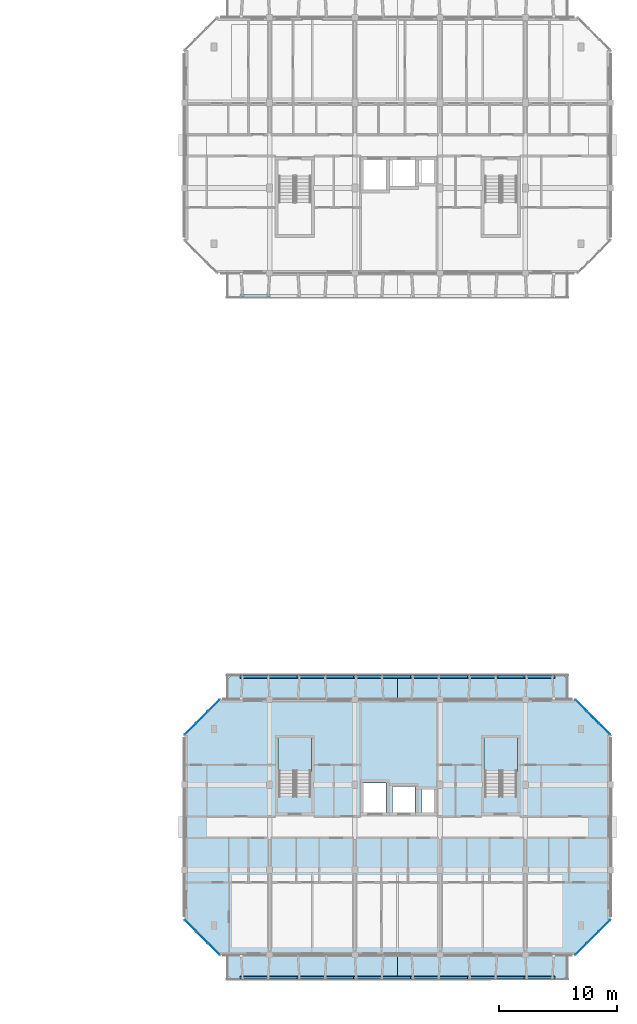
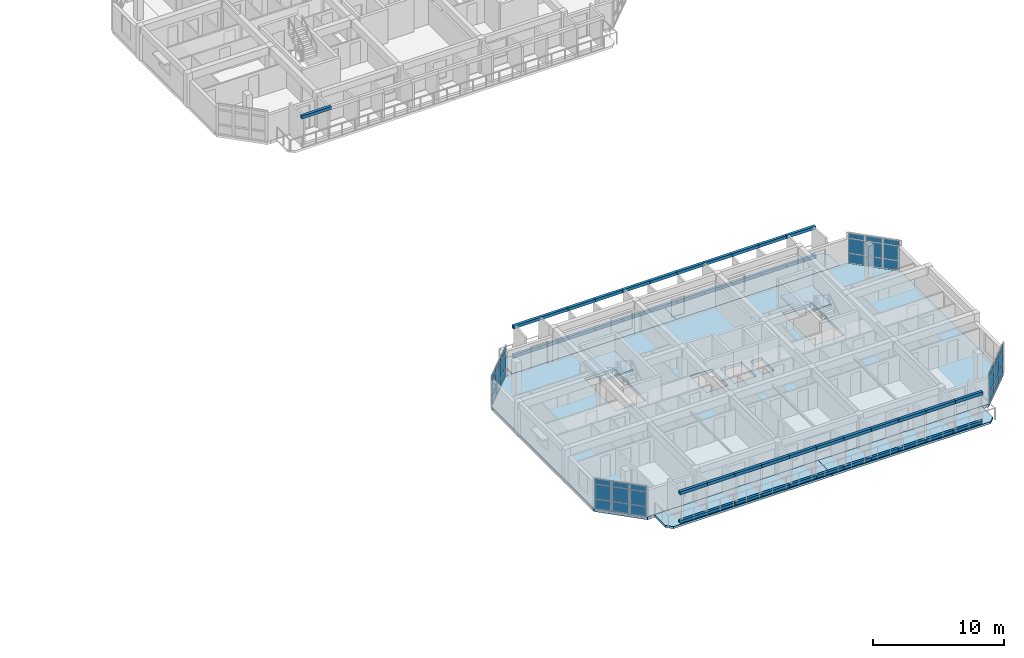
# One storey, part 13 of 40: 81 plates, 7 slabs, 6 elements without a shape of their own.
"""IFC4 building model written with IfcOpenShell, lengths in metres."""

from ifc_helpers import new_model, si_unit, direction, frame, origin, origin_2d, place, context, subcontext, project, spatial, polyline, rectangle, outline, extrude, material, layer, layer_set, type_object, element, aggregate, save


model = new_model("IFC4")

# Units and contexts
model_context = context("Model", 3, precision=1e-05, world=origin(), true_north=direction((0.0, 1.0)))
body_context = subcontext(model_context, "Body", "Model", "MODEL_VIEW")
ifc_project = project(units=[si_unit("LENGTHUNIT", "METRE"), si_unit("AREAUNIT", "SQUARE_METRE"), si_unit("VOLUMEUNIT", "CUBIC_METRE"), si_unit("PLANEANGLEUNIT", "RADIAN"), si_unit("MASSUNIT", "GRAM", prefix="KILO")], contexts=[model_context])

# Site, building, storey
site_placement = place(None, origin())
site = spatial("IfcSite", under=ifc_project, at=site_placement, CompositionType="ELEMENT")
building_placement = place(site_placement, origin())
building = spatial("IfcBuilding", under=site, at=building_placement, Name="Ochrevale Crest", CompositionType="ELEMENT")
storey_placement = place(building_placement, frame((0.0, 0.0, 27.60009765625)))
storey = spatial("IfcBuildingStorey", under=building, at=storey_placement, Name="L08", CompositionType="ELEMENT", Elevation=27.60009765625)

# Curtain wall, plates
ifc_material_1 = material(Name="Anodised aluminium 6063-T5", Category="aluminium")
ifc_layer_1 = layer(ifc_material_1, 0.14990234375)
ifc_layer_set_1 = layer_set([ifc_layer_1], Name="Anodised aluminium 6063-T5")
curtain_wall_type_1 = type_object("IfcCurtainWallType", Name="CW-WG-240x285", PredefinedType="NOTDEFINED", material=ifc_layer_set_1)
curtain_wall_1_placement = place(storey_placement, origin())
curtain_wall_1 = element("IfcCurtainWall", 1, at=curtain_wall_1_placement, inside=storey, type_object=curtain_wall_type_1, Name="Block C L08 chamfered corner wintergarden curtain wall 2", PredefinedType="NOTDEFINED")
ifc_material_2 = material(Name="Double-glazed low-E insulated glass unit", Category="glass")
ifc_layer_2 = layer(ifc_material_2, 0.028076171875)
ifc_layer_set_2 = layer_set([ifc_layer_2], Name="Double-glazed low-E insulated glass unit")
plate_type_1 = type_object("IfcPlateType", Name="CW-PNL-IGU28", PredefinedType="CURTAIN_PANEL", material=ifc_layer_set_2)
plate_1_placement = place(storey_placement, frame((163.11328125, 14.913330078125, 0.06005859375), z_axis=(0.0, 0.0, 1.0), x_axis=(0.707106781187, 0.707106781187, 0.0)))
plate_1 = element("IfcPlate", 2, at=plate_1_placement, type_object=plate_type_1, Name="CW15 panel 1.1", PredefinedType="CURTAIN_PANEL", context=body_context, shape_type="SweptSolid", body=[
    extrude(rectangle(XDim=1.3017578125, YDim=0.028076171875, at=origin_2d()), origin(), (0.0, 0.0, 1.0), 0.860107421875),
])
plate_2_placement = place(storey_placement, frame((163.11328125, 14.913330078125, 0.97998046875), z_axis=(0.0, 0.0, 1.0), x_axis=(0.707106781187, 0.707106781187, 0.0)))
plate_2 = element("IfcPlate", 3, at=plate_2_placement, type_object=plate_type_1, Name="CW15 panel 1.2", PredefinedType="CURTAIN_PANEL", context=body_context, shape_type="SweptSolid", body=[
    extrude(rectangle(XDim=1.3017578125, YDim=0.028076171875, at=origin_2d()), origin(), (0.0, 0.0, 1.0), 1.31494140625),
])
plate_3_placement = place(storey_placement, frame((163.11328125, 14.913330078125, 2.35498046875), z_axis=(0.0, 0.0, 1.0), x_axis=(0.707106781187, 0.707106781187, 0.0)))
plate_3 = element("IfcPlate", 4, at=plate_3_placement, type_object=plate_type_1, Name="CW15 panel 1.3", PredefinedType="CURTAIN_PANEL", context=body_context, shape_type="SweptSolid", body=[
    extrude(rectangle(XDim=1.3017578125, YDim=0.028076171875, at=origin_2d()), origin(), (0.0, 0.0, 1.0), 0.4599609375),
])
plate_4_placement = place(storey_placement, frame((164.10009765625, 15.89990234375, 0.06005859375), z_axis=(0.0, 0.0, 1.0), x_axis=(0.707106781187, 0.707106781187, 0.0)))
plate_4 = element("IfcPlate", 5, at=plate_4_placement, type_object=plate_type_1, Name="CW15 panel 2.1", PredefinedType="CURTAIN_PANEL", context=body_context, shape_type="SweptSolid", body=[
    extrude(rectangle(XDim=1.339111328125, YDim=0.028076171875, at=origin_2d()), origin(), (0.0, 0.0, 1.0), 0.860107421875),
])
plate_5_placement = place(storey_placement, frame((164.10009765625, 15.89990234375, 0.97998046875), z_axis=(0.0, 0.0, 1.0), x_axis=(0.707106781187, 0.707106781187, 0.0)))
plate_5 = element("IfcPlate", 6, at=plate_5_placement, type_object=plate_type_1, Name="CW15 panel 2.2", PredefinedType="CURTAIN_PANEL", context=body_context, shape_type="SweptSolid", body=[
    extrude(rectangle(XDim=1.339111328125, YDim=0.028076171875, at=origin_2d()), origin(), (0.0, 0.0, 1.0), 1.31494140625),
])
plate_6_placement = place(storey_placement, frame((164.10009765625, 15.89990234375, 2.35498046875), z_axis=(0.0, 0.0, 1.0), x_axis=(0.707106781187, 0.707106781187, 0.0)))
plate_6 = element("IfcPlate", 7, at=plate_6_placement, type_object=plate_type_1, Name="CW15 panel 2.3", PredefinedType="CURTAIN_PANEL", context=body_context, shape_type="SweptSolid", body=[
    extrude(rectangle(XDim=1.339111328125, YDim=0.028076171875, at=origin_2d()), origin(), (0.0, 0.0, 1.0), 0.4599609375),
])
plate_7_placement = place(storey_placement, frame((165.086669921875, 16.88671875, 0.06005859375), z_axis=(0.0, 0.0, 1.0), x_axis=(0.707106781187, 0.707106781187, 0.0)))
plate_7 = element("IfcPlate", 8, at=plate_7_placement, type_object=plate_type_1, Name="CW15 panel 3.1", PredefinedType="CURTAIN_PANEL", context=body_context, shape_type="SweptSolid", body=[
    extrude(rectangle(XDim=1.3017578125, YDim=0.028076171875, at=origin_2d()), origin(), (0.0, 0.0, 1.0), 0.860107421875),
])
plate_8_placement = place(storey_placement, frame((165.086669921875, 16.88671875, 0.97998046875), z_axis=(0.0, 0.0, 1.0), x_axis=(0.707106781187, 0.707106781187, 0.0)))
plate_8 = element("IfcPlate", 9, at=plate_8_placement, type_object=plate_type_1, Name="CW15 panel 3.2", PredefinedType="CURTAIN_PANEL", context=body_context, shape_type="SweptSolid", body=[
    extrude(rectangle(XDim=1.3017578125, YDim=0.028076171875, at=origin_2d()), origin(), (0.0, 0.0, 1.0), 1.31494140625),
])
plate_9_placement = place(storey_placement, frame((165.086669921875, 16.88671875, 2.35498046875), z_axis=(0.0, 0.0, 1.0), x_axis=(0.707106781187, 0.707106781187, 0.0)))
plate_9 = element("IfcPlate", 10, at=plate_9_placement, type_object=plate_type_1, Name="CW15 panel 3.3", PredefinedType="CURTAIN_PANEL", context=body_context, shape_type="SweptSolid", body=[
    extrude(rectangle(XDim=1.3017578125, YDim=0.028076171875, at=origin_2d()), origin(), (0.0, 0.0, 1.0), 0.4599609375),
])
aggregate(curtain_wall_1, [plate_1, plate_2, plate_3, plate_4, plate_5, plate_6, plate_7, plate_8, plate_9])

ifc_layer_3 = layer(ifc_material_1, 0.14990234375)
ifc_layer_set_3 = layer_set([ifc_layer_3], Name="Anodised aluminium 6063-T5")
curtain_wall_type_2 = type_object("IfcCurtainWallType", Name="CW-WG-320x285", PredefinedType="NOTDEFINED", material=ifc_layer_set_3)
curtain_wall_2_placement = place(storey_placement, origin())
curtain_wall_2 = element("IfcCurtainWall", 11, at=curtain_wall_2_placement, inside=storey, type_object=curtain_wall_type_2, Name="Block C L08 chamfered corner wintergarden curtain wall 4", PredefinedType="NOTDEFINED")
plate_10_placement = place(storey_placement, frame((165.086669921875, 33.51318359375, 0.06005859375), z_axis=(0.0, 0.0, 1.0), x_axis=(-0.707106781187, 0.707106781187, 0.0)))
plate_10 = element("IfcPlate", 12, at=plate_10_placement, type_object=plate_type_1, Name="CW17 panel 1.1", PredefinedType="CURTAIN_PANEL", context=body_context, shape_type="SweptSolid", body=[
    extrude(rectangle(XDim=1.3017578125, YDim=0.028076171875, at=origin_2d()), origin(), (0.0, 0.0, 1.0), 0.860107421875),
])
plate_11_placement = place(storey_placement, frame((165.086669921875, 33.51318359375, 0.97998046875), z_axis=(0.0, 0.0, 1.0), x_axis=(-0.707106781187, 0.707106781187, 0.0)))
plate_11 = element("IfcPlate", 13, at=plate_11_placement, type_object=plate_type_1, Name="CW17 panel 1.2", PredefinedType="CURTAIN_PANEL", context=body_context, shape_type="SweptSolid", body=[
    extrude(rectangle(XDim=1.3017578125, YDim=0.028076171875, at=origin_2d()), origin(), (0.0, 0.0, 1.0), 1.31494140625),
])
plate_12_placement = place(storey_placement, frame((165.086669921875, 33.51318359375, 2.35498046875), z_axis=(0.0, 0.0, 1.0), x_axis=(-0.707106781187, 0.707106781187, 0.0)))
plate_12 = element("IfcPlate", 14, at=plate_12_placement, type_object=plate_type_1, Name="CW17 panel 1.3", PredefinedType="CURTAIN_PANEL", context=body_context, shape_type="SweptSolid", body=[
    extrude(rectangle(XDim=1.3017578125, YDim=0.028076171875, at=origin_2d()), origin(), (0.0, 0.0, 1.0), 0.4599609375),
])
plate_13_placement = place(storey_placement, frame((164.10009765625, 34.5, 0.06005859375), z_axis=(0.0, 0.0, 1.0), x_axis=(-0.707106781187, 0.707106781187, 0.0)))
plate_13 = element("IfcPlate", 15, at=plate_13_placement, type_object=plate_type_1, Name="CW17 panel 2.1", PredefinedType="CURTAIN_PANEL", context=body_context, shape_type="SweptSolid", body=[
    extrude(rectangle(XDim=1.339111328125, YDim=0.028076171875, at=origin_2d()), origin(), (0.0, 0.0, 1.0), 0.860107421875),
])
plate_14_placement = place(storey_placement, frame((164.10009765625, 34.5, 0.97998046875), z_axis=(0.0, 0.0, 1.0), x_axis=(-0.707106781187, 0.707106781187, 0.0)))
plate_14 = element("IfcPlate", 16, at=plate_14_placement, type_object=plate_type_1, Name="CW17 panel 2.2", PredefinedType="CURTAIN_PANEL", context=body_context, shape_type="SweptSolid", body=[
    extrude(rectangle(XDim=1.339111328125, YDim=0.028076171875, at=origin_2d()), origin(), (0.0, 0.0, 1.0), 1.31494140625),
])
plate_15_placement = place(storey_placement, frame((164.10009765625, 34.5, 2.35498046875), z_axis=(0.0, 0.0, 1.0), x_axis=(-0.707106781187, 0.707106781187, 0.0)))
plate_15 = element("IfcPlate", 17, at=plate_15_placement, type_object=plate_type_1, Name="CW17 panel 2.3", PredefinedType="CURTAIN_PANEL", context=body_context, shape_type="SweptSolid", body=[
    extrude(rectangle(XDim=1.339111328125, YDim=0.028076171875, at=origin_2d()), origin(), (0.0, 0.0, 1.0), 0.4599609375),
])
plate_16_placement = place(storey_placement, frame((163.11328125, 35.48681640625, 0.06005859375), z_axis=(0.0, 0.0, 1.0), x_axis=(-0.707106781187, 0.707106781187, 0.0)))
plate_16 = element("IfcPlate", 18, at=plate_16_placement, type_object=plate_type_1, Name="CW17 panel 3.1", PredefinedType="CURTAIN_PANEL", context=body_context, shape_type="SweptSolid", body=[
    extrude(rectangle(XDim=1.3017578125, YDim=0.028076171875, at=origin_2d()), origin(), (0.0, 0.0, 1.0), 0.860107421875),
])
plate_17_placement = place(storey_placement, frame((163.11328125, 35.48681640625, 0.97998046875), z_axis=(0.0, 0.0, 1.0), x_axis=(-0.707106781187, 0.707106781187, 0.0)))
plate_17 = element("IfcPlate", 19, at=plate_17_placement, type_object=plate_type_1, Name="CW17 panel 3.2", PredefinedType="CURTAIN_PANEL", context=body_context, shape_type="SweptSolid", body=[
    extrude(rectangle(XDim=1.3017578125, YDim=0.028076171875, at=origin_2d()), origin(), (0.0, 0.0, 1.0), 1.31494140625),
])
plate_18_placement = place(storey_placement, frame((163.11328125, 35.48681640625, 2.35498046875), z_axis=(0.0, 0.0, 1.0), x_axis=(-0.707106781187, 0.707106781187, 0.0)))
plate_18 = element("IfcPlate", 20, at=plate_18_placement, type_object=plate_type_1, Name="CW17 panel 3.3", PredefinedType="CURTAIN_PANEL", context=body_context, shape_type="SweptSolid", body=[
    extrude(rectangle(XDim=1.3017578125, YDim=0.028076171875, at=origin_2d()), origin(), (0.0, 0.0, 1.0), 0.4599609375),
])
aggregate(curtain_wall_2, [plate_10, plate_11, plate_12, plate_13, plate_14, plate_15, plate_16, plate_17, plate_18])

ifc_layer_4 = layer(ifc_material_1, 0.14990234375)
ifc_layer_set_4 = layer_set([ifc_layer_4], Name="Anodised aluminium 6063-T5")
curtain_wall_type_3 = type_object("IfcCurtainWallType", Name="CW-WG-420x285", PredefinedType="NOTDEFINED", material=ifc_layer_set_4)
curtain_wall_3_placement = place(storey_placement, origin())
curtain_wall_3 = element("IfcCurtainWall", 21, at=curtain_wall_3_placement, inside=storey, type_object=curtain_wall_type_3, Name="Block C L08 chamfered corner wintergarden curtain wall 6", PredefinedType="NOTDEFINED")
plate_19_placement = place(storey_placement, frame((132.086669921875, 35.48681640625, 0.06005859375), z_axis=(0.0, 0.0, 1.0), x_axis=(-0.707106781187, -0.707106781187, 0.0)))
plate_19 = element("IfcPlate", 22, at=plate_19_placement, type_object=plate_type_1, Name="CW22 panel 1.1", PredefinedType="CURTAIN_PANEL", context=body_context, shape_type="SweptSolid", body=[
    extrude(rectangle(XDim=1.3017578125, YDim=0.028076171875, at=origin_2d()), origin(), (0.0, 0.0, 1.0), 0.860107421875),
])
plate_20_placement = place(storey_placement, frame((132.086669921875, 35.48681640625, 0.97998046875), z_axis=(0.0, 0.0, 1.0), x_axis=(-0.707106781187, -0.707106781187, 0.0)))
plate_20 = element("IfcPlate", 23, at=plate_20_placement, type_object=plate_type_1, Name="CW22 panel 1.2", PredefinedType="CURTAIN_PANEL", context=body_context, shape_type="SweptSolid", body=[
    extrude(rectangle(XDim=1.3017578125, YDim=0.028076171875, at=origin_2d()), origin(), (0.0, 0.0, 1.0), 1.31494140625),
])
plate_21_placement = place(storey_placement, frame((132.086669921875, 35.48681640625, 2.35498046875), z_axis=(0.0, 0.0, 1.0), x_axis=(-0.707106781187, -0.707106781187, 0.0)))
plate_21 = element("IfcPlate", 24, at=plate_21_placement, type_object=plate_type_1, Name="CW22 panel 1.3", PredefinedType="CURTAIN_PANEL", context=body_context, shape_type="SweptSolid", body=[
    extrude(rectangle(XDim=1.3017578125, YDim=0.028076171875, at=origin_2d()), origin(), (0.0, 0.0, 1.0), 0.4599609375),
])
plate_22_placement = place(storey_placement, frame((131.10009765625, 34.5, 0.06005859375), z_axis=(0.0, 0.0, 1.0), x_axis=(-0.707106781187, -0.707106781187, 0.0)))
plate_22 = element("IfcPlate", 25, at=plate_22_placement, type_object=plate_type_1, Name="CW22 panel 2.1", PredefinedType="CURTAIN_PANEL", context=body_context, shape_type="SweptSolid", body=[
    extrude(rectangle(XDim=1.339111328125, YDim=0.028076171875, at=origin_2d()), origin(), (0.0, 0.0, 1.0), 0.860107421875),
])
plate_23_placement = place(storey_placement, frame((131.10009765625, 34.5, 0.97998046875), z_axis=(0.0, 0.0, 1.0), x_axis=(-0.707106781187, -0.707106781187, 0.0)))
plate_23 = element("IfcPlate", 26, at=plate_23_placement, type_object=plate_type_1, Name="CW22 panel 2.2", PredefinedType="CURTAIN_PANEL", context=body_context, shape_type="SweptSolid", body=[
    extrude(rectangle(XDim=1.339111328125, YDim=0.028076171875, at=origin_2d()), origin(), (0.0, 0.0, 1.0), 1.31494140625),
])
plate_24_placement = place(storey_placement, frame((131.10009765625, 34.5, 2.35498046875), z_axis=(0.0, 0.0, 1.0), x_axis=(-0.707106781187, -0.707106781187, 0.0)))
plate_24 = element("IfcPlate", 27, at=plate_24_placement, type_object=plate_type_1, Name="CW22 panel 2.3", PredefinedType="CURTAIN_PANEL", context=body_context, shape_type="SweptSolid", body=[
    extrude(rectangle(XDim=1.339111328125, YDim=0.028076171875, at=origin_2d()), origin(), (0.0, 0.0, 1.0), 0.4599609375),
])
plate_25_placement = place(storey_placement, frame((130.11328125, 33.51318359375, 0.06005859375), z_axis=(0.0, 0.0, 1.0), x_axis=(-0.707106781187, -0.707106781187, 0.0)))
plate_25 = element("IfcPlate", 28, at=plate_25_placement, type_object=plate_type_1, Name="CW22 panel 3.1", PredefinedType="CURTAIN_PANEL", context=body_context, shape_type="SweptSolid", body=[
    extrude(rectangle(XDim=1.3017578125, YDim=0.028076171875, at=origin_2d()), origin(), (0.0, 0.0, 1.0), 0.860107421875),
])
plate_26_placement = place(storey_placement, frame((130.11328125, 33.51318359375, 0.97998046875), z_axis=(0.0, 0.0, 1.0), x_axis=(-0.707106781187, -0.707106781187, 0.0)))
plate_26 = element("IfcPlate", 29, at=plate_26_placement, type_object=plate_type_1, Name="CW22 panel 3.2", PredefinedType="CURTAIN_PANEL", context=body_context, shape_type="SweptSolid", body=[
    extrude(rectangle(XDim=1.3017578125, YDim=0.028076171875, at=origin_2d()), origin(), (0.0, 0.0, 1.0), 1.31494140625),
])
plate_27_placement = place(storey_placement, frame((130.11328125, 33.51318359375, 2.35498046875), z_axis=(0.0, 0.0, 1.0), x_axis=(-0.707106781187, -0.707106781187, 0.0)))
plate_27 = element("IfcPlate", 30, at=plate_27_placement, type_object=plate_type_1, Name="CW22 panel 3.3", PredefinedType="CURTAIN_PANEL", context=body_context, shape_type="SweptSolid", body=[
    extrude(rectangle(XDim=1.3017578125, YDim=0.028076171875, at=origin_2d()), origin(), (0.0, 0.0, 1.0), 0.4599609375),
])
aggregate(curtain_wall_3, [plate_19, plate_20, plate_21, plate_22, plate_23, plate_24, plate_25, plate_26, plate_27])

ifc_layer_5 = layer(ifc_material_1, 0.14990234375)
ifc_layer_set_5 = layer_set([ifc_layer_5], Name="Anodised aluminium 6063-T5")
curtain_wall_type_4 = type_object("IfcCurtainWallType", Name="CW-WG-280x285", PredefinedType="NOTDEFINED", material=ifc_layer_set_5)
curtain_wall_4_placement = place(storey_placement, origin())
curtain_wall_4 = element("IfcCurtainWall", 31, at=curtain_wall_4_placement, inside=storey, type_object=curtain_wall_type_4, Name="Block C L08 chamfered corner wintergarden curtain wall 8", PredefinedType="NOTDEFINED")
ifc_material_3 = material(Name="Acoustic laminated low-E insulated glass unit", Category="glass")
ifc_layer_6 = layer(ifc_material_3, 0.0380859375)
ifc_layer_set_6 = layer_set([ifc_layer_6], Name="Acoustic laminated low-E insulated glass unit")
plate_type_2 = type_object("IfcPlateType", Name="CW-PNL-IGU38", PredefinedType="CURTAIN_PANEL", material=ifc_layer_set_6)
plate_28_placement = place(storey_placement, frame((130.11328125, 16.88671875, 0.06005859375), z_axis=(0.0, 0.0, 1.0), x_axis=(0.707106781187, -0.707106781187, 0.0)))
plate_28 = element("IfcPlate", 32, at=plate_28_placement, type_object=plate_type_2, Name="CW16 panel 1.1", PredefinedType="CURTAIN_PANEL", context=body_context, shape_type="SweptSolid", body=[
    extrude(rectangle(XDim=1.3017578125, YDim=0.0380859375, at=origin_2d()), origin(), (0.0, 0.0, 1.0), 0.860107421875),
])
plate_29_placement = place(storey_placement, frame((130.11328125, 16.88671875, 0.97998046875), z_axis=(0.0, 0.0, 1.0), x_axis=(0.707106781187, -0.707106781187, 0.0)))
plate_29 = element("IfcPlate", 33, at=plate_29_placement, type_object=plate_type_2, Name="CW16 panel 1.2", PredefinedType="CURTAIN_PANEL", context=body_context, shape_type="SweptSolid", body=[
    extrude(rectangle(XDim=1.3017578125, YDim=0.0380859375, at=origin_2d()), origin(), (0.0, 0.0, 1.0), 1.31494140625),
])
plate_30_placement = place(storey_placement, frame((130.11328125, 16.88671875, 2.35498046875), z_axis=(0.0, 0.0, 1.0), x_axis=(0.707106781187, -0.707106781187, 0.0)))
plate_30 = element("IfcPlate", 34, at=plate_30_placement, type_object=plate_type_2, Name="CW16 panel 1.3", PredefinedType="CURTAIN_PANEL", context=body_context, shape_type="SweptSolid", body=[
    extrude(rectangle(XDim=1.3017578125, YDim=0.0380859375, at=origin_2d()), origin(), (0.0, 0.0, 1.0), 0.4599609375),
])
plate_31_placement = place(storey_placement, frame((131.10009765625, 15.89990234375, 0.06005859375), z_axis=(0.0, 0.0, 1.0), x_axis=(0.707106781187, -0.707106781187, 0.0)))
plate_31 = element("IfcPlate", 35, at=plate_31_placement, type_object=plate_type_2, Name="CW16 panel 2.1", PredefinedType="CURTAIN_PANEL", context=body_context, shape_type="SweptSolid", body=[
    extrude(rectangle(XDim=1.339111328125, YDim=0.0380859375, at=origin_2d()), origin(), (0.0, 0.0, 1.0), 0.860107421875),
])
plate_32_placement = place(storey_placement, frame((131.10009765625, 15.89990234375, 0.97998046875), z_axis=(0.0, 0.0, 1.0), x_axis=(0.707106781187, -0.707106781187, 0.0)))
plate_32 = element("IfcPlate", 36, at=plate_32_placement, type_object=plate_type_2, Name="CW16 panel 2.2", PredefinedType="CURTAIN_PANEL", context=body_context, shape_type="SweptSolid", body=[
    extrude(rectangle(XDim=1.339111328125, YDim=0.0380859375, at=origin_2d()), origin(), (0.0, 0.0, 1.0), 1.31494140625),
])
plate_33_placement = place(storey_placement, frame((131.10009765625, 15.89990234375, 2.35498046875), z_axis=(0.0, 0.0, 1.0), x_axis=(0.707106781187, -0.707106781187, 0.0)))
plate_33 = element("IfcPlate", 37, at=plate_33_placement, type_object=plate_type_2, Name="CW16 panel 2.3", PredefinedType="CURTAIN_PANEL", context=body_context, shape_type="SweptSolid", body=[
    extrude(rectangle(XDim=1.339111328125, YDim=0.0380859375, at=origin_2d()), origin(), (0.0, 0.0, 1.0), 0.4599609375),
])
plate_34_placement = place(storey_placement, frame((132.086669921875, 14.913330078125, 0.06005859375), z_axis=(0.0, 0.0, 1.0), x_axis=(0.707106781187, -0.707106781187, 0.0)))
plate_34 = element("IfcPlate", 38, at=plate_34_placement, type_object=plate_type_2, Name="CW16 panel 3.1", PredefinedType="CURTAIN_PANEL", context=body_context, shape_type="SweptSolid", body=[
    extrude(rectangle(XDim=1.3017578125, YDim=0.0380859375, at=origin_2d()), origin(), (0.0, 0.0, 1.0), 0.860107421875),
])
plate_35_placement = place(storey_placement, frame((132.086669921875, 14.913330078125, 0.97998046875), z_axis=(0.0, 0.0, 1.0), x_axis=(0.707106781187, -0.707106781187, 0.0)))
plate_35 = element("IfcPlate", 39, at=plate_35_placement, type_object=plate_type_2, Name="CW16 panel 3.2", PredefinedType="CURTAIN_PANEL", context=body_context, shape_type="SweptSolid", body=[
    extrude(rectangle(XDim=1.3017578125, YDim=0.0380859375, at=origin_2d()), origin(), (0.0, 0.0, 1.0), 1.31494140625),
])
plate_36_placement = place(storey_placement, frame((132.086669921875, 14.913330078125, 2.35498046875), z_axis=(0.0, 0.0, 1.0), x_axis=(0.707106781187, -0.707106781187, 0.0)))
plate_36 = element("IfcPlate", 40, at=plate_36_placement, type_object=plate_type_2, Name="CW16 panel 3.3", PredefinedType="CURTAIN_PANEL", context=body_context, shape_type="SweptSolid", body=[
    extrude(rectangle(XDim=1.3017578125, YDim=0.0380859375, at=origin_2d()), origin(), (0.0, 0.0, 1.0), 0.4599609375),
])
aggregate(curtain_wall_4, [plate_28, plate_29, plate_30, plate_31, plate_32, plate_33, plate_34, plate_35, plate_36])

# Plates
ifc_material_4 = material(Name="Precast concrete C40/50", Category="concrete")
ifc_layer_7 = layer(ifc_material_4, 0.06005859375)
ifc_layer_set_7 = layer_set([ifc_layer_7], Name="Precast concrete C40/50")
plate_type_3 = type_object("IfcPlateType", Name="PLT-HC-HEAD-60", PredefinedType="USERDEFINED", material=ifc_layer_set_7)
for number, where, z_axis, x_axis, name in (
    (41, (135.60009765625, 12.5, 2.669921875), (0.0, 0.0, 1.0), (1.0, 0.0, 0.0), "Block C L08 S honeycomb arched lintel fascia 1"),
    (42, (138.0, 12.5, 2.669921875), (0.0, 0.0, 1.0), (1.0, 0.0, 0.0), "Block C L08 S honeycomb arched lintel fascia 2"),
    (43, (140.39990234375, 12.5, 2.669921875), (0.0, 0.0, 1.0), (1.0, 0.0, 0.0), "Block C L08 S honeycomb arched lintel fascia 3"),
    (44, (142.800048828125, 12.5, 2.669921875), (0.0, 0.0, 1.0), (1.0, 0.0, 0.0), "Block C L08 S honeycomb arched lintel fascia 4"),
    (45, (145.199951171875, 12.5, 2.669921875), (0.0, 0.0, 1.0), (1.0, 0.0, 0.0), "Block C L08 S honeycomb arched lintel fascia 5"),
    (46, (147.60009765625, 12.5, 2.669921875), (0.0, 0.0, 1.0), (1.0, 0.0, 0.0), "Block C L08 S honeycomb arched lintel fascia 6"),
    (47, (150.0, 12.5, 2.669921875), (0.0, 0.0, 1.0), (1.0, 0.0, 0.0), "Block C L08 S honeycomb arched lintel fascia 7"),
    (48, (152.39990234375, 12.5, 2.669921875), (0.0, 0.0, 1.0), (1.0, 0.0, 0.0), "Block C L08 S honeycomb arched lintel fascia 8"),
    (49, (154.800048828125, 12.5, 2.669921875), (0.0, 0.0, 1.0), (1.0, 0.0, 0.0), "Block C L08 S honeycomb arched lintel fascia 9"),
    (50, (157.199951171875, 12.5, 2.669921875), (0.0, 0.0, 1.0), (1.0, 0.0, 0.0), "Block C L08 S honeycomb arched lintel fascia 10"),
    (51, (159.60009765625, 12.5, 2.669921875), (0.0, 0.0, 1.0), (1.0, 0.0, 0.0), "Block C L08 S honeycomb arched lintel fascia 11"),
    (52, (135.60009765625, 37.89990234375, 2.669921875), (0.0, 0.0, 1.0), (1.0, 0.0, 0.0), "Block C L08 N honeycomb arched lintel fascia 1"),
    (53, (138.0, 37.89990234375, 2.669921875), (0.0, 0.0, 1.0), (1.0, 0.0, 0.0), "Block C L08 N honeycomb arched lintel fascia 2"),
    (54, (140.39990234375, 37.89990234375, 2.669921875), (0.0, 0.0, 1.0), (1.0, 0.0, 0.0), "Block C L08 N honeycomb arched lintel fascia 3"),
    (55, (142.800048828125, 37.89990234375, 2.669921875), (0.0, 0.0, 1.0), (1.0, 0.0, 0.0), "Block C L08 N honeycomb arched lintel fascia 4"),
    (56, (145.199951171875, 37.89990234375, 2.669921875), (0.0, 0.0, 1.0), (1.0, 0.0, 0.0), "Block C L08 N honeycomb arched lintel fascia 5"),
    (57, (147.60009765625, 37.89990234375, 2.669921875), (0.0, 0.0, 1.0), (1.0, 0.0, 0.0), "Block C L08 N honeycomb arched lintel fascia 6"),
    (58, (150.0, 37.89990234375, 2.669921875), (0.0, 0.0, 1.0), (1.0, 0.0, 0.0), "Block C L08 N honeycomb arched lintel fascia 7"),
    (59, (152.39990234375, 37.89990234375, 2.669921875), (0.0, 0.0, 1.0), (1.0, 0.0, 0.0), "Block C L08 N honeycomb arched lintel fascia 8"),
    (60, (154.800048828125, 37.89990234375, 2.669921875), (0.0, 0.0, 1.0), (1.0, 0.0, 0.0), "Block C L08 N honeycomb arched lintel fascia 9"),
    (61, (157.199951171875, 37.89990234375, 2.669921875), (0.0, 0.0, 1.0), (1.0, 0.0, 0.0), "Block C L08 N honeycomb arched lintel fascia 10"),
    (62, (159.60009765625, 37.89990234375, 2.669921875), (0.0, 0.0, 1.0), (1.0, 0.0, 0.0), "Block C L08 N honeycomb arched lintel fascia 11"),
    (63, (135.60009765625, 70.10009765625, 2.669921875), (0.0, 0.0, 1.0), (1.0, 0.0, 0.0), "Block D L08 S honeycomb arched lintel fascia 1"),
):
    element("IfcPlate", number, at=place(storey_placement, frame(where, z_axis=z_axis, x_axis=x_axis)), inside=storey, type_object=plate_type_3, Name=name, ObjectType="FACADE FASCIA PLATE", PredefinedType="USERDEFINED", context=body_context, shape_type="SweptSolid", body=[
        extrude(rectangle(XDim=2.60009765625, YDim=0.239990234375, at=origin_2d()), origin(), (0.0, 0.0, 1.0), 0.280029296875),
    ])
ifc_layer_8 = layer(ifc_material_4, 0.044921875)
ifc_layer_set_8 = layer_set([ifc_layer_8], Name="Precast concrete C40/50")
plate_type_4 = type_object("IfcPlateType", Name="PLT-HC-SILL-45", PredefinedType="USERDEFINED", material=ifc_layer_set_8)
for number, where, z_axis, x_axis, name in (
    (64, (135.60009765625, 12.5, 0.0), (0.0, 0.0, 1.0), (1.0, 0.0, 0.0), "Block C L08 S honeycomb sill coping plate 1"),
    (65, (138.0, 12.5, 0.0), (0.0, 0.0, 1.0), (1.0, 0.0, 0.0), "Block C L08 S honeycomb sill coping plate 2"),
    (66, (140.39990234375, 12.5, 0.0), (0.0, 0.0, 1.0), (1.0, 0.0, 0.0), "Block C L08 S honeycomb sill coping plate 3"),
    (67, (142.800048828125, 12.5, 0.0), (0.0, 0.0, 1.0), (1.0, 0.0, 0.0), "Block C L08 S honeycomb sill coping plate 4"),
    (68, (145.199951171875, 12.5, 0.0), (0.0, 0.0, 1.0), (1.0, 0.0, 0.0), "Block C L08 S honeycomb sill coping plate 5"),
    (69, (147.60009765625, 12.5, 0.0), (0.0, 0.0, 1.0), (1.0, 0.0, 0.0), "Block C L08 S honeycomb sill coping plate 6"),
    (70, (150.0, 12.5, 0.0), (0.0, 0.0, 1.0), (1.0, 0.0, 0.0), "Block C L08 S honeycomb sill coping plate 7"),
    (71, (152.39990234375, 12.5, 0.0), (0.0, 0.0, 1.0), (1.0, 0.0, 0.0), "Block C L08 S honeycomb sill coping plate 8"),
    (72, (154.800048828125, 12.5, 0.0), (0.0, 0.0, 1.0), (1.0, 0.0, 0.0), "Block C L08 S honeycomb sill coping plate 9"),
    (73, (157.199951171875, 12.5, 0.0), (0.0, 0.0, 1.0), (1.0, 0.0, 0.0), "Block C L08 S honeycomb sill coping plate 10"),
    (74, (159.60009765625, 12.5, 0.0), (0.0, 0.0, 1.0), (1.0, 0.0, 0.0), "Block C L08 S honeycomb sill coping plate 11"),
    (75, (135.60009765625, 37.89990234375, 0.0), (0.0, 0.0, 1.0), (1.0, 0.0, 0.0), "Block C L08 N honeycomb sill coping plate 1"),
    (76, (138.0, 37.89990234375, 0.0), (0.0, 0.0, 1.0), (1.0, 0.0, 0.0), "Block C L08 N honeycomb sill coping plate 2"),
    (77, (140.39990234375, 37.89990234375, 0.0), (0.0, 0.0, 1.0), (1.0, 0.0, 0.0), "Block C L08 N honeycomb sill coping plate 3"),
    (78, (142.800048828125, 37.89990234375, 0.0), (0.0, 0.0, 1.0), (1.0, 0.0, 0.0), "Block C L08 N honeycomb sill coping plate 4"),
    (79, (145.199951171875, 37.89990234375, 0.0), (0.0, 0.0, 1.0), (1.0, 0.0, 0.0), "Block C L08 N honeycomb sill coping plate 5"),
    (80, (147.60009765625, 37.89990234375, 0.0), (0.0, 0.0, 1.0), (1.0, 0.0, 0.0), "Block C L08 N honeycomb sill coping plate 6"),
    (81, (150.0, 37.89990234375, 0.0), (0.0, 0.0, 1.0), (1.0, 0.0, 0.0), "Block C L08 N honeycomb sill coping plate 7"),
    (82, (152.39990234375, 37.89990234375, 0.0), (0.0, 0.0, 1.0), (1.0, 0.0, 0.0), "Block C L08 N honeycomb sill coping plate 8"),
    (83, (154.800048828125, 37.89990234375, 0.0), (0.0, 0.0, 1.0), (1.0, 0.0, 0.0), "Block C L08 N honeycomb sill coping plate 9"),
    (84, (157.199951171875, 37.89990234375, 0.0), (0.0, 0.0, 1.0), (1.0, 0.0, 0.0), "Block C L08 N honeycomb sill coping plate 10"),
    (85, (159.60009765625, 37.89990234375, 0.0), (0.0, 0.0, 1.0), (1.0, 0.0, 0.0), "Block C L08 N honeycomb sill coping plate 11"),
):
    element("IfcPlate", number, at=place(storey_placement, frame(where, z_axis=z_axis, x_axis=x_axis)), inside=storey, type_object=plate_type_4, Name=name, ObjectType="SILL COPING PLATE", PredefinedType="USERDEFINED", context=body_context, shape_type="SweptSolid", body=[
        extrude(rectangle(XDim=2.60009765625, YDim=0.219970703125, at=origin_2d()), origin(), (0.0, 0.0, 1.0), 0.260009765625),
    ])

# Slabs
ifc_layer_9 = layer(ifc_material_4, 0.199951171875)
ifc_layer_set_9 = layer_set([ifc_layer_9], Name="Precast concrete C40/50")
slab_type_1 = type_object("IfcSlabType", Name="SLB-BAL-200", PredefinedType="FLOOR", material=ifc_layer_set_9)
slab_1_placement = place(storey_placement, frame((0.0, 0.0, -0.2001953125)))
element("IfcSlab", 86, at=slab_1_placement, inside=storey, type_object=slab_type_1, Name="Block C L08 S1 precast loggia balcony slab", PredefinedType="FLOOR", context=body_context, shape_type="SweptSolid", body=[
    extrude(outline(polyline([(133.64990234375, 12.300048828125), (147.60009765625, 12.300048828125), (147.60009765625, 14.39990234375), (133.199951171875, 14.39990234375), (133.199951171875, 12.75), (133.64990234375, 12.300048828125)])), origin(), (0.0, 0.0, 1.0), 0.2001953125),
])
slab_2_placement = place(storey_placement, frame((0.0, 0.0, -0.2001953125)))
element("IfcSlab", 87, at=slab_2_placement, inside=storey, type_object=slab_type_1, Name="Block C L08 S2 precast loggia balcony slab", PredefinedType="FLOOR", context=body_context, shape_type="SweptSolid", body=[
    extrude(outline(polyline([(147.60009765625, 12.300048828125), (161.550048828125, 12.300048828125), (162.0, 12.75), (162.0, 14.39990234375), (147.60009765625, 14.39990234375), (147.60009765625, 12.300048828125)])), origin(), (0.0, 0.0, 1.0), 0.2001953125),
])
slab_3_placement = place(storey_placement, frame((0.0, 0.0, -0.2001953125)))
element("IfcSlab", 88, at=slab_3_placement, inside=storey, type_object=slab_type_1, Name="Block C L08 N1 precast loggia balcony slab", PredefinedType="FLOOR", context=body_context, shape_type="SweptSolid", body=[
    extrude(outline(polyline([(133.199951171875, 36.0), (147.60009765625, 36.0), (147.60009765625, 38.10009765625), (133.64990234375, 38.10009765625), (133.199951171875, 37.64990234375), (133.199951171875, 36.0)])), origin(), (0.0, 0.0, 1.0), 0.2001953125),
])
slab_4_placement = place(storey_placement, frame((0.0, 0.0, -0.2001953125)))
element("IfcSlab", 89, at=slab_4_placement, inside=storey, type_object=slab_type_1, Name="Block C L08 N2 precast loggia balcony slab", PredefinedType="FLOOR", context=body_context, shape_type="SweptSolid", body=[
    extrude(outline(polyline([(147.60009765625, 36.0), (162.0, 36.0), (162.0, 37.64990234375), (161.550048828125, 38.10009765625), (147.60009765625, 38.10009765625), (147.60009765625, 36.0)])), origin(), (0.0, 0.0, 1.0), 0.2001953125),
])
ifc_layer_10 = layer(ifc_material_4, 0.27490234375)
ifc_layer_set_10 = layer_set([ifc_layer_10], Name="Precast concrete C40/50")
slab_type_2 = type_object("IfcSlabType", Name="SLB-RES-275", PredefinedType="FLOOR", material=ifc_layer_set_10)
slab_5_placement = place(storey_placement, frame((0.0, 0.0, -0.275146484375)))
element("IfcSlab", 90, at=slab_5_placement, inside=storey, type_object=slab_type_2, Name="Block C L08 composite hollowcore floor slab", PredefinedType="FLOOR", context=body_context, shape_type="SweptSolid", body=[
    extrude(outline(polyline([(132.60009765625, 14.39990234375), (162.60009765625, 14.39990234375), (165.60009765625, 17.39990234375), (165.60009765625, 33.0), (162.60009765625, 36.0), (132.60009765625, 36.0), (129.60009765625, 33.0), (129.60009765625, 17.39990234375), (132.60009765625, 14.39990234375)]), holes=[polyline([(140.25, 27.824951171875), (140.25, 32.72509765625), (137.60009765625, 32.72509765625), (137.60009765625, 27.824951171875), (140.25, 27.824951171875)]), polyline([(157.64990234375, 27.824951171875), (157.64990234375, 32.72509765625), (155.0, 32.72509765625), (155.0, 27.824951171875), (157.64990234375, 27.824951171875)]), polyline([(144.75, 26.449951171875), (146.64990234375, 26.449951171875), (146.64990234375, 28.949951171875), (144.75, 28.949951171875), (144.75, 26.449951171875)]), polyline([(147.199951171875, 26.449951171875), (149.10009765625, 26.449951171875), (149.10009765625, 28.64990234375), (147.199951171875, 28.64990234375), (147.199951171875, 26.449951171875)]), polyline([(149.669921875, 26.419921875), (150.679931640625, 26.419921875), (150.679931640625, 28.3798828125), (149.669921875, 28.3798828125), (149.669921875, 26.419921875)])]), origin(), (0.0, 0.0, 1.0), 0.275146484375),
])

# Stair, slab
stair_type = type_object("IfcStairType", Name="ST-CORE-DOG", PredefinedType="HALF_TURN_STAIR", material=ifc_material_4)
stair_1_placement = place(storey_placement, origin())
stair_1 = element("IfcStair", 91, at=stair_1_placement, inside=storey, type_object=stair_type, Name="L08 Block C Fire Stair 1", PredefinedType="HALF_TURN_STAIR")
ifc_layer_11 = layer(ifc_material_4, 0.199951171875)
ifc_layer_set_11 = layer_set([ifc_layer_11], Name="Precast concrete C40/50")
slab_type_3 = type_object("IfcSlabType", Name="SLB-ST-LAND", PredefinedType="LANDING", material=ifc_layer_set_11)
slab_6_placement = place(storey_placement, frame((0.0, 0.0, 1.375)))
slab_6 = element("IfcSlab", 92, at=slab_6_placement, type_object=slab_type_3, Name="ST-C1 landing 1", PredefinedType="LANDING", context=body_context, shape_type="SweptSolid", body=[
    extrude(outline(polyline([(140.330078125, 29.93505859375), (140.330078125, 32.804931640625), (137.52001953125, 32.804931640625), (137.52001953125, 29.93505859375), (140.330078125, 29.93505859375)])), origin(), (0.0, 0.0, 1.0), 0.199951171875),
])
aggregate(stair_1, [slab_6])

stair_2_placement = place(storey_placement, origin())
stair_2 = element("IfcStair", 93, at=stair_2_placement, inside=storey, type_object=stair_type, Name="L08 Block C Fire Stair 2", PredefinedType="HALF_TURN_STAIR")
slab_7_placement = place(storey_placement, frame((0.0, 0.0, 1.375)))
slab_7 = element("IfcSlab", 94, at=slab_7_placement, type_object=slab_type_3, Name="ST-C2 landing 1", PredefinedType="LANDING", context=body_context, shape_type="SweptSolid", body=[
    extrude(outline(polyline([(157.72998046875, 29.93505859375), (157.72998046875, 32.804931640625), (154.919921875, 32.804931640625), (154.919921875, 29.93505859375), (157.72998046875, 29.93505859375)])), origin(), (0.0, 0.0, 1.0), 0.199951171875),
])
aggregate(stair_2, [slab_7])

save(model, "model.ifc")
